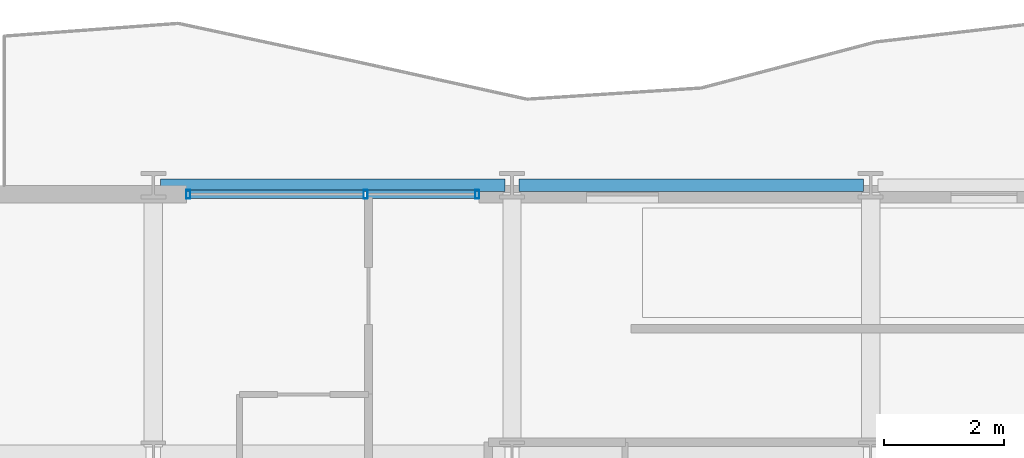
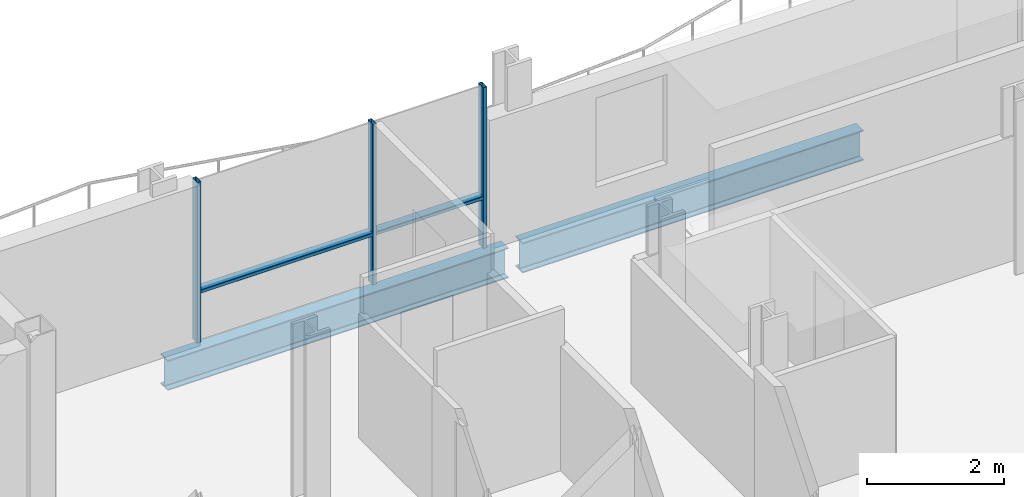
# One storey, part 21 of 41: 5 members, 2 beams, 1 element without a shape of its own.
"""IFC4 building model written with IfcOpenShell, lengths in metres."""

from ifc_helpers import new_model, si_unit, direction, frame, origin, origin_2d, place, context, subcontext, project, spatial, hollow_rectangle, i_section, extrude, material, layer, layer_set, material_profile, profile_set, type_object, element, aggregate, save


model = new_model("IFC4")

# Units and contexts
model_context = context("Model", 3, precision=1e-05, world=origin(), true_north=direction((0.0, 1.0)))
body_context = subcontext(model_context, "Body", "Model", "MODEL_VIEW")
ifc_project = project(units=[si_unit("LENGTHUNIT", "METRE"), si_unit("AREAUNIT", "SQUARE_METRE"), si_unit("VOLUMEUNIT", "CUBIC_METRE"), si_unit("PLANEANGLEUNIT", "RADIAN"), si_unit("MASSUNIT", "GRAM", prefix="KILO")], contexts=[model_context])

# Site, building, storey
site_placement = place(None, origin())
site = spatial("IfcSite", under=ifc_project, at=site_placement, CompositionType="ELEMENT")
building_placement = place(site_placement, origin())
building = spatial("IfcBuilding", under=site, at=building_placement, Name="Brevholm Reach", CompositionType="ELEMENT")
storey_placement = place(building_placement, frame((0.0, 0.0, 74.5)))
storey = spatial("IfcBuildingStorey", under=building, at=storey_placement, Name="L21", CompositionType="ELEMENT", Elevation=74.5)

# Beams
ifc_material_1 = material(Name="Structural Steel S355J2", Category="steel")
ifc_material_profile_1 = material_profile(ifc_material_1, i_section(OverallWidth=0.210693359375, OverallDepth=0.53955078125, WebThickness=0.01171875, FlangeThickness=0.018798828125, FilletRadius=0.0126953125, at=origin_2d()), Name="UKB 533x210x109")
ifc_profile_set_1 = profile_set([ifc_material_profile_1], Name="Structural Steel S355J2")
beam_type = type_object("IfcBeamType", Name="BM-SP539", PredefinedType="SPANDREL", material=ifc_profile_set_1)
for number, where, z_axis, x_axis, name in (
    (1, (6.1201171875, 31.0, -0.499755859375), (1.0, 0.0, 0.0), (0.0, 1.0, 0.0), "L21 SP-01B Framing Beam"),
    (2, (12.1201171875, 31.0, -0.499755859375), (1.0, 0.0, 0.0), (0.0, 1.0, 0.0), "L21 SP-01B Framing Beam"),
):
    element("IfcBeam", number, at=place(storey_placement, frame(where, z_axis=z_axis, x_axis=x_axis)), inside=storey, type_object=beam_type, Name=name, PredefinedType="SPANDREL", context=body_context, shape_type="SweptSolid", body=[
        extrude(i_section(OverallWidth=0.210693359375, OverallDepth=0.53955078125, WebThickness=0.01171875, FlangeThickness=0.018798828125, FilletRadius=0.0126953125, at=origin_2d()), origin(), (0.0, 0.0, 1.0), 5.759765625),
    ])

# Curtain wall, members
ifc_material_2 = material(Name="Dark Anodised Aluminium 6063-T6 and Solar-Control Glass", Category="aluminium")
ifc_layer = layer(ifc_material_2, 0.14990234375)
ifc_layer_set = layer_set([ifc_layer], Name="Dark Anodised Aluminium 6063-T6 and Solar-Control Glass")
curtain_wall_type = type_object("IfcCurtainWallType", Name="CW-01", PredefinedType="NOTDEFINED", material=ifc_layer_set)
curtain_wall_placement = place(storey_placement, origin())
curtain_wall = element("IfcCurtainWall", 3, at=curtain_wall_placement, inside=storey, type_object=curtain_wall_type, Name="L21 Curtain Wall CW-01", PredefinedType="NOTDEFINED")
ifc_material_3 = material(Name="Dark Anodised Aluminium 6063-T6", Category="aluminium")
ifc_material_profile_2 = material_profile(ifc_material_3, hollow_rectangle(XDim=0.06494140625, YDim=0.14990234375, WallThickness=0.0048828125, InnerFilletRadius=0.0048828125, OuterFilletRadius=0.010009765625, at=origin_2d()), Name="RHS 150x65x5")
ifc_profile_set_2 = profile_set([ifc_material_profile_2], Name="Dark Anodised Aluminium 6063-T6")
member_type_1 = type_object("IfcMemberType", Name="CWM-150", PredefinedType="MULLION", material=ifc_profile_set_2)
member_1_placement = place(storey_placement, frame((6.58251953125, 30.85009765625, 0.0), z_axis=(0.0, 0.0, 1.0), x_axis=(1.0, 0.0, 0.0)))
member_1 = element("IfcMember", 4, at=member_1_placement, type_object=member_type_1, Name="CM-150 Mullion 1", PredefinedType="MULLION", context=body_context, shape_type="SweptSolid", body=[
    extrude(hollow_rectangle(XDim=0.06494140625, YDim=0.14990234375, WallThickness=0.0048828125, InnerFilletRadius=0.0048828125, OuterFilletRadius=0.010009765625, at=origin_2d()), origin(), (0.0, 0.0, 1.0), 2.8701171875),
])
member_2_placement = place(storey_placement, frame((9.550048828125, 30.85009765625, 0.0), z_axis=(0.0, 0.0, 1.0), x_axis=(1.0, 0.0, 0.0)))
member_2 = element("IfcMember", 5, at=member_2_placement, type_object=member_type_1, Name="CM-150 Mullion 2", PredefinedType="MULLION", context=body_context, shape_type="SweptSolid", body=[
    extrude(hollow_rectangle(XDim=0.06494140625, YDim=0.14990234375, WallThickness=0.0048828125, InnerFilletRadius=0.0048828125, OuterFilletRadius=0.010009765625, at=origin_2d()), origin(), (0.0, 0.0, 1.0), 2.8701171875),
])
member_3_placement = place(storey_placement, frame((11.41748046875, 30.85009765625, 0.0), z_axis=(0.0, 0.0, 1.0), x_axis=(1.0, 0.0, 0.0)))
member_3 = element("IfcMember", 6, at=member_3_placement, type_object=member_type_1, Name="CM-150 Mullion 3", PredefinedType="MULLION", context=body_context, shape_type="SweptSolid", body=[
    extrude(hollow_rectangle(XDim=0.06494140625, YDim=0.14990234375, WallThickness=0.0048828125, InnerFilletRadius=0.0048828125, OuterFilletRadius=0.010009765625, at=origin_2d()), origin(), (0.0, 0.0, 1.0), 2.8701171875),
])
ifc_material_4 = material(Name="Dark Anodised Aluminium 6063-T6", Category="aluminium")
ifc_material_profile_3 = material_profile(ifc_material_4, hollow_rectangle(XDim=0.06494140625, YDim=0.14990234375, WallThickness=0.0048828125, InnerFilletRadius=0.0048828125, OuterFilletRadius=0.010009765625, at=origin_2d()), Name="RHS 150x65x5")
ifc_profile_set_3 = profile_set([ifc_material_profile_3], Name="Dark Anodised Aluminium 6063-T6")
member_type_2 = type_object("IfcMemberType", Name="CWT-150", PredefinedType="NOTDEFINED", material=ifc_profile_set_3)
member_4_placement = place(storey_placement, frame((6.614990234375, 30.85009765625, 0.89990234375), z_axis=(1.0, 0.0, 0.0), x_axis=(0.0, 0.0, 1.0)))
member_4 = element("IfcMember", 7, at=member_4_placement, type_object=member_type_2, Name="CT-150 Transom 1.1", ObjectType="TRANSOM", PredefinedType="USERDEFINED", context=body_context, shape_type="SweptSolid", body=[
    extrude(hollow_rectangle(XDim=0.06494140625, YDim=0.14990234375, WallThickness=0.0048828125, InnerFilletRadius=0.0048828125, OuterFilletRadius=0.010009765625, at=origin_2d()), origin(), (0.0, 0.0, 1.0), 2.902587890625),
])
member_5_placement = place(storey_placement, frame((9.58251953125, 30.85009765625, 0.89990234375), z_axis=(1.0, 0.0, 0.0), x_axis=(0.0, 0.0, 1.0)))
member_5 = element("IfcMember", 8, at=member_5_placement, type_object=member_type_2, Name="CT-150 Transom 2.1", ObjectType="TRANSOM", PredefinedType="USERDEFINED", context=body_context, shape_type="SweptSolid", body=[
    extrude(hollow_rectangle(XDim=0.06494140625, YDim=0.14990234375, WallThickness=0.0048828125, InnerFilletRadius=0.0048828125, OuterFilletRadius=0.010009765625, at=origin_2d()), origin(), (0.0, 0.0, 1.0), 1.802490234375),
])
aggregate(curtain_wall, [member_1, member_2, member_3, member_4, member_5])

save(model, "model.ifc")
